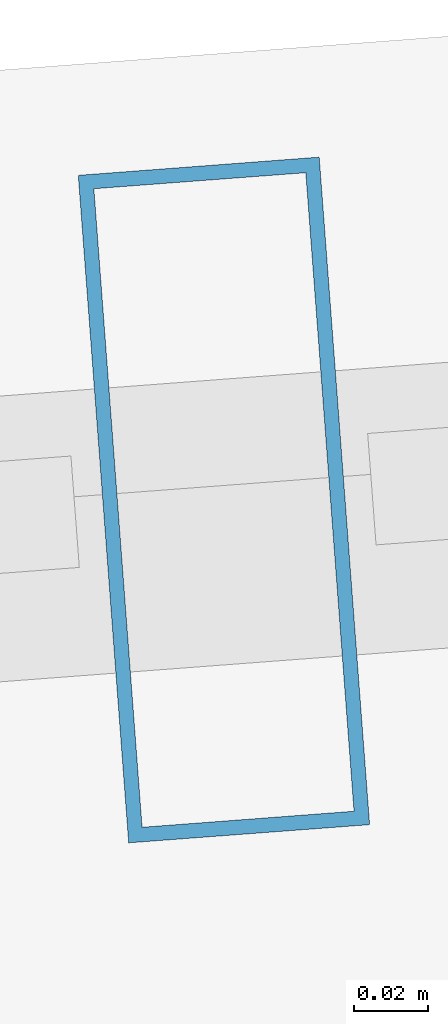
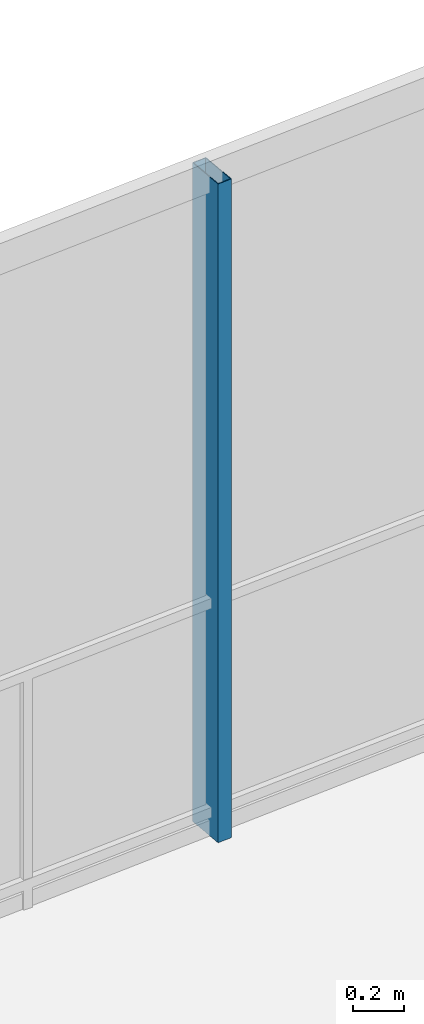
# One storey, part 19 of 30: 1 member, 1 element without a shape of its own.
"""IFC4 building model written with IfcOpenShell, lengths in metres."""

import ifcopenshell
import ifcopenshell.guid

model = None  # the IFC model being written
_history = None  # IfcOwnerHistory: only IFC2X3 demands one
_inside = {}  # id of a spatial element -> (the spatial element, [elements in it])
_under = {}  # id of a project, library or spatial element -> (it, [spatial elements below it])
_declared = {}  # id of a project -> (the project, [libraries it declares])
_typed = {}  # id of a type object -> (the type object, [elements of that type])
_made_of = {}  # id of a material, layer set ... -> (it, [elements and type objects made of it])


def new_model(schema):
    """Start an empty IFC model of exactly this schema.

    Asked for "IFC4X3", IfcOpenShell would pick the latest addendum, in which some entities
    have other attributes; the version numbers below select the first issue.
    IFC2X3 requires an IfcOwnerHistory on every rooted entity: one is made here for all.
    """
    global model, _history
    if schema == "IFC4X3":
        model = ifcopenshell.file(schema_version=(4, 3, 0, 0))
    else:
        model = ifcopenshell.file(schema=schema)
    _inside.clear()
    _under.clear()
    _declared.clear()
    _typed.clear()
    _made_of.clear()
    _history = None
    if model.schema == "IFC2X3":
        org = make("IfcOrganization", Name="unknown")
        user = make(
            "IfcPersonAndOrganization",
            ThePerson=make("IfcPerson", FamilyName="unknown"),
            TheOrganization=org,
        )
        app = make(
            "IfcApplication",
            ApplicationDeveloper=org,
            Version="unknown",
            ApplicationFullName="unknown",
            ApplicationIdentifier="unknown",
        )
        _history = make(
            "IfcOwnerHistory",
            OwningUser=user,
            OwningApplication=app,
            ChangeAction="ADDED",
            CreationDate=0,
        )
    return model


def make(cls, **values):
    """One entity of the class cls with the attributes given. An attribute that is None is left unset."""
    return model.create_entity(
        cls, **{name: value for name, value in values.items() if value is not None}
    )


def rooted(cls, **values):
    """An entity with a GlobalId (a new one), such as an element, a storey or a relation."""
    return make(cls, GlobalId=ifcopenshell.guid.new(), OwnerHistory=_history, **values)


def si_unit(unit_type, name, prefix=None):
    """IfcSIUnit, for example si_unit("LENGTHUNIT", "METRE", prefix="MILLI")."""
    return make("IfcSIUnit", UnitType=unit_type, Prefix=prefix, Name=name)


def assignment(units):
    """IfcUnitAssignment: the units of a project."""
    return None if units is None else make("IfcUnitAssignment", Units=units)


def point(xyz):
    """IfcCartesianPoint."""
    return None if xyz is None else make("IfcCartesianPoint", Coordinates=xyz)


def direction(xyz):
    """IfcDirection."""
    return None if xyz is None else make("IfcDirection", DirectionRatios=xyz)


def frame(location, z_axis=None, x_axis=None):
    """IfcAxis2Placement3D, a coordinate frame: its origin and axes. An axis left out is left unset."""
    return make(
        "IfcAxis2Placement3D",
        Location=point(location),
        Axis=direction(z_axis),
        RefDirection=direction(x_axis),
    )


def frame_2d(location, x_axis=None):
    """IfcAxis2Placement2D, a coordinate frame in the plane: its origin and x axis."""
    return make(
        "IfcAxis2Placement2D", Location=point(location), RefDirection=direction(x_axis)
    )


def origin():
    """The frame at (0, 0, 0) with its axes left unset."""
    return frame((0.0, 0.0, 0.0))


def origin_2d():
    """The frame at (0, 0) in the plane with its x axis left unset."""
    return frame_2d((0.0, 0.0))


def place(relative_to, where):
    """IfcLocalPlacement: puts the frame where relative to a parent placement (None: the world)."""
    return make(
        "IfcLocalPlacement", PlacementRelTo=relative_to, RelativePlacement=where
    )


def context(
    kind, dimensions, precision=None, world=None, true_north=None, identifier=None
):
    """IfcGeometricRepresentationContext, for example the 3D "Model" context."""
    return make(
        "IfcGeometricRepresentationContext",
        ContextIdentifier=identifier,
        ContextType=kind,
        CoordinateSpaceDimension=dimensions,
        Precision=precision,
        WorldCoordinateSystem=world,
        TrueNorth=true_north,
    )


def subcontext(parent, identifier, kind, view, scale=None):
    """IfcGeometricRepresentationSubContext, for example "Body" below "Model"."""
    return make(
        "IfcGeometricRepresentationSubContext",
        ContextIdentifier=identifier,
        ContextType=kind,
        ParentContext=parent,
        TargetScale=scale,
        TargetView=view,
    )


def project(units=None, contexts=None):
    """IfcProject with its units and contexts."""
    return rooted(
        "IfcProject",
        Name="project",
        RepresentationContexts=contexts,
        UnitsInContext=assignment(units),
    )


def spatial(cls, under=None, at=None, **own):
    """A site, building, storey or space (cls), placed at a placement, below another one or the project."""
    s = rooted(cls, ObjectPlacement=at, **own)
    if under is not None:
        _under.setdefault(under.id(), (under, []))[1].append(s)
    return s


def profile(cls, at=None, kind="AREA", **sizes):
    """A parametric profile (cls). Its sizes go by their IFC names, for example OverallWidth=200.0."""
    return make(cls, ProfileType=kind, Position=at, **sizes)


def hollow_rectangle(**sizes):
    """IfcRectangleHollowProfileDef."""
    return profile("IfcRectangleHollowProfileDef", **sizes)


def extrude(swept, where, along, depth):
    """IfcExtrudedAreaSolid: the profile swept, set in the frame where, extruded along a direction by depth."""
    return make(
        "IfcExtrudedAreaSolid",
        SweptArea=swept,
        Position=where,
        ExtrudedDirection=direction(along),
        Depth=depth,
    )


def shape(context_of_items, identifier, shape_type, items):
    """IfcShapeRepresentation: the items that make up one representation, for example the "Body"."""
    return make(
        "IfcShapeRepresentation",
        ContextOfItems=context_of_items,
        RepresentationIdentifier=identifier,
        RepresentationType=shape_type,
        Items=items,
    )


def material(Name=None, Category=None):
    """IfcMaterial."""
    return make("IfcMaterial", Name=Name, Category=Category)


def layer(
    of_material, thickness, ventilated=None, Name=None, Category=None, Priority=None
):
    """IfcMaterialLayer: one layer of a wall or slab, of a material (None: an air gap)."""
    return make(
        "IfcMaterialLayer",
        Material=of_material,
        LayerThickness=thickness,
        IsVentilated=ventilated,
        Name=Name,
        Category=Category,
        Priority=Priority,
    )


def layer_set(layers, Name=None):
    """IfcMaterialLayerSet."""
    return make("IfcMaterialLayerSet", MaterialLayers=layers, LayerSetName=Name)


def material_profile(
    of_material, cross_section, Name=None, Category=None, Priority=None
):
    """IfcMaterialProfile: a cross section and its material."""
    return make(
        "IfcMaterialProfile",
        Name=Name,
        Material=of_material,
        Profile=cross_section,
        Priority=Priority,
        Category=Category,
    )


def profile_set(profiles, Name=None, composite=None):
    """IfcMaterialProfileSet."""
    return make(
        "IfcMaterialProfileSet",
        Name=Name,
        MaterialProfiles=profiles,
        CompositeProfile=composite,
    )


def made_of(thing, what):
    """Note that an element or type object is made of a material, layer set ...; save() writes the relation."""
    if what is not None:
        _made_of.setdefault(what.id(), (what, []))[1].append(thing)
    return thing


def type_object(cls, material=None, **own):
    """A type object (cls), such as IfcWallType, which elements share."""
    return made_of(rooted(cls, **own), material)


def element(
    cls,
    number,
    at=None,
    inside=None,
    cuts=None,
    type_object=None,
    material=None,
    context=None,
    identifier="Body",
    shape_type=None,
    held_by="IfcProductDefinitionShape",
    body=None,
    shapes=None,
    **own,
):
    """One element of the class cls, such as IfcWall. Its Tag is "e" and its number.

    at: its placement. inside: the storey or other place that contains it. cuts: it is an
    opening in that element (IfcRelVoidsElement). A single representation is given by context,
    identifier, shape_type and body (its items); several are given by shapes. held_by: the class
    of the entity that holds the representations. save() writes the other relations.
    """
    e = rooted(cls, Tag="e%d" % number, ObjectPlacement=at, **own)
    if body is not None:
        shapes = [shape(context, identifier, shape_type, body)]
    if shapes is not None:
        e.Representation = make(held_by, Representations=shapes)
    if inside is not None:
        _inside.setdefault(inside.id(), (inside, []))[1].append(e)
    if cuts is not None:
        rooted(
            "IfcRelVoidsElement", RelatingBuildingElement=cuts, RelatedOpeningElement=e
        )
    if type_object is not None:
        _typed.setdefault(type_object.id(), (type_object, []))[1].append(e)
    return made_of(e, material)


def aggregate(whole, parts):
    """IfcRelAggregates: a whole, such as a stair, and the parts it consists of."""
    return rooted("IfcRelAggregates", RelatingObject=whole, RelatedObjects=parts)


def save(model, path):
    """Write the relations noted so far, then the file.

    IfcRelAggregates (storeys below a building ...), IfcRelContainedInSpatialStructure (elements
    in a storey), IfcRelDefinesByType, IfcRelAssociatesMaterial and IfcRelDeclares: one each for
    every whole, place, type object, material and project.
    """
    for whole, parts in _under.values():
        aggregate(whole, parts)
    for where, things in _inside.values():
        rooted(
            "IfcRelContainedInSpatialStructure",
            RelatedElements=things,
            RelatingStructure=where,
        )
    for kind, things in _typed.values():
        rooted("IfcRelDefinesByType", RelatedObjects=things, RelatingType=kind)
    for what, things in _made_of.values():
        rooted("IfcRelAssociatesMaterial", RelatedObjects=things, RelatingMaterial=what)
    for by, libraries in _declared.values():
        rooted("IfcRelDeclares", RelatingContext=by, RelatedDefinitions=libraries)
    model.write(path)


model = new_model("IFC4")

# Units and contexts
model_context = context("Model", 3, precision=1e-05, world=origin(), true_north=direction((0.0, 1.0)))
body_context = subcontext(model_context, "Body", "Model", "MODEL_VIEW")
ifc_project = project(units=[si_unit("LENGTHUNIT", "METRE"), si_unit("AREAUNIT", "SQUARE_METRE"), si_unit("VOLUMEUNIT", "CUBIC_METRE"), si_unit("PLANEANGLEUNIT", "RADIAN"), si_unit("MASSUNIT", "GRAM", prefix="KILO")], contexts=[model_context])

# Site, building, storey
site_placement = place(None, origin())
site = spatial("IfcSite", under=ifc_project, at=site_placement, CompositionType="ELEMENT")
building_placement = place(site_placement, origin())
building = spatial("IfcBuilding", under=site, at=building_placement, Name="Qarnah Convention Tower", CompositionType="ELEMENT")
storey_placement = place(building_placement, frame((0.0, 0.0, 83.25)))
storey = spatial("IfcBuildingStorey", under=building, at=storey_placement, Name="L21", CompositionType="ELEMENT", Elevation=83.25)

# Curtain wall, member
ifc_material_1 = material(Name="Tempered Low-E dark glass", Category="glass")
ifc_layer = layer(ifc_material_1, 0.169921875)
ifc_layer_set = layer_set([ifc_layer], Name="Tempered Low-E dark glass")
curtain_wall_type = type_object("IfcCurtainWallType", Name="CWS-02", PredefinedType="NOTDEFINED", material=ifc_layer_set)
curtain_wall_placement = place(storey_placement, origin())
curtain_wall = element("IfcCurtainWall", 1, at=curtain_wall_placement, inside=storey, type_object=curtain_wall_type, Name="L21 unitised curtain wall CW-L21-F2", PredefinedType="NOTDEFINED")
ifc_material_2 = material(Name="Black anodised aluminium", Category="aluminium")
ifc_material_profile = material_profile(ifc_material_2, hollow_rectangle(XDim=0.06494140625, YDim=0.179931640625, WallThickness=0.00390625, at=origin_2d()), Name="MUL-65X180")
ifc_profile_set = profile_set([ifc_material_profile], Name="Black anodised aluminium")
member_type = type_object("IfcMemberType", Name="MUL-T2", PredefinedType="MULLION", material=ifc_profile_set)
member_placement = place(storey_placement, frame((33.383056640625, 43.925048828125, 0.0), z_axis=(0.0, 0.0, 1.0), x_axis=(0.997158879225, 0.075327083987, 0.0)))
member = element("IfcMember", 2, at=member_placement, type_object=member_type, Name="CW-L21-F2 mullion 3", PredefinedType="MULLION", context=body_context, shape_type="SweptSolid", body=[
    extrude(hollow_rectangle(XDim=0.06494140625, YDim=0.179931640625, WallThickness=0.00390625, at=origin_2d()), origin(), (0.0, 0.0, 1.0), 3.169921875),
])
aggregate(curtain_wall, [member])

save(model, "model.ifc")
